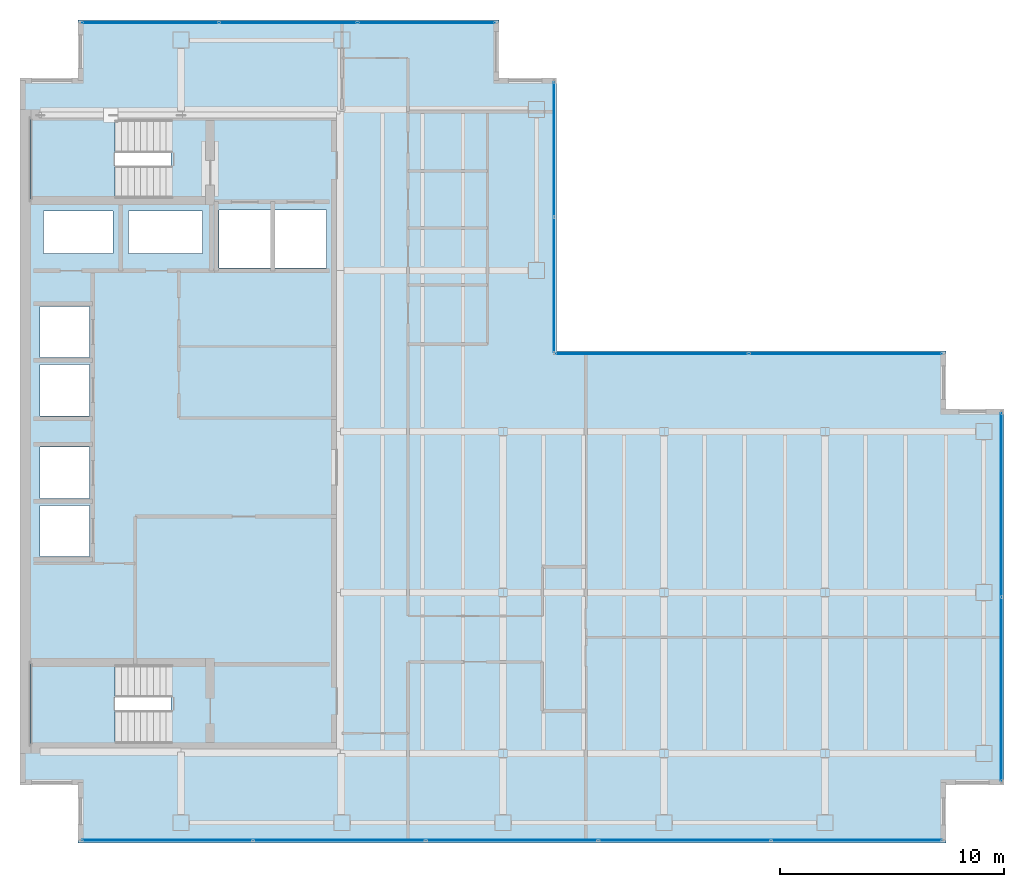
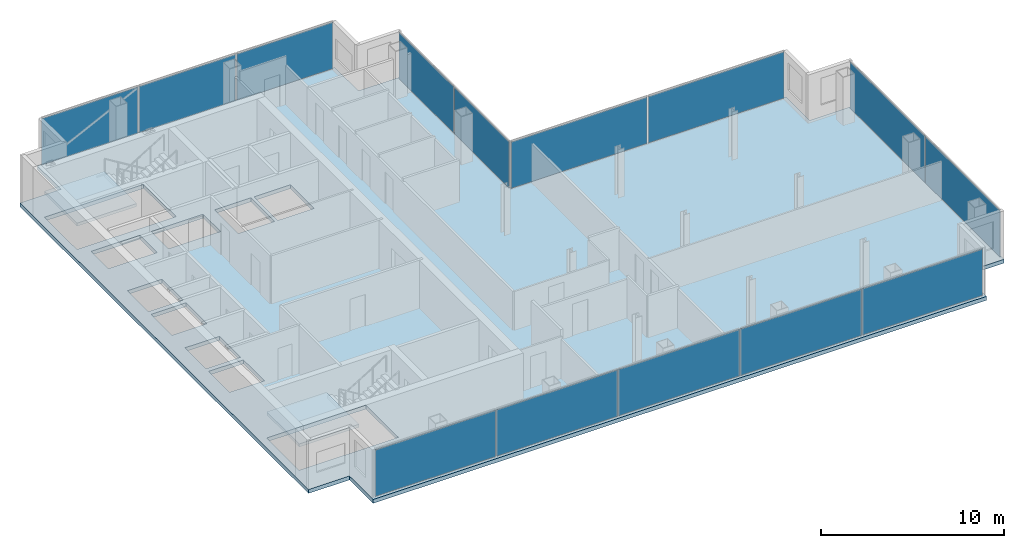
# One storey, part 19 of 23: 14 plates, 3 slabs, 10 openings, 7 elements without a shape of their own.
"""IFC4 building model written with IfcOpenShell, lengths in metres."""

from ifc_helpers import new_model, si_unit, direction, frame, origin, origin_2d, place, context, subcontext, project, spatial, polyline, rectangle, outline, extrude, material, layer, layer_set, type_object, element, aggregate, save


model = new_model("IFC4")

# Units and contexts
model_context = context("Model", 3, precision=1e-05, world=origin(), true_north=direction((0.0, 1.0)))
body_context = subcontext(model_context, "Body", "Model", "MODEL_VIEW")
ifc_project = project(units=[si_unit("LENGTHUNIT", "METRE"), si_unit("AREAUNIT", "SQUARE_METRE"), si_unit("VOLUMEUNIT", "CUBIC_METRE"), si_unit("PLANEANGLEUNIT", "RADIAN"), si_unit("MASSUNIT", "GRAM", prefix="KILO")], contexts=[model_context])

# Site, building, storey
site_placement = place(None, origin())
site = spatial("IfcSite", under=ifc_project, at=site_placement, CompositionType="ELEMENT")
building_placement = place(site_placement, origin())
building = spatial("IfcBuilding", under=site, at=building_placement, Name="Cobrela Telecom Tower", CompositionType="ELEMENT")
storey_placement = place(building_placement, frame((0.0, 0.0, 204.75)))
storey = spatial("IfcBuildingStorey", under=building, at=storey_placement, Name="L52", CompositionType="ELEMENT", Elevation=204.75)

# Curtain wall, plates
ifc_material_1 = material(Name="Anodized Bronze Aluminium 6063-T6", Category="aluminium")
curtain_wall_type = type_object("IfcCurtainWallType", Name="CW-SYS-OFF-LO", PredefinedType="USERDEFINED", material=ifc_material_1)
curtain_wall_1_placement = place(storey_placement, origin())
curtain_wall_1 = element("IfcCurtainWall", 1, at=curtain_wall_1_placement, inside=storey, type_object=curtain_wall_type, Name="L52 Unitised Bronze Curtain Wall 07", ObjectType="UNITISED CURTAIN WALL", PredefinedType="USERDEFINED")
ifc_material_2 = material(Name="Solar-Control Bronze Low-E Glass", Category="glass")
ifc_layer_1 = layer(ifc_material_2, 0.031982421875)
ifc_layer_set_1 = layer_set([ifc_layer_1], Name="Solar-Control Bronze Low-E Glass")
plate_type = type_object("IfcPlateType", Name="CW-SYS-OFF-LO-PNL", PredefinedType="CURTAIN_PANEL", material=ifc_layer_set_1)
plate_1_placement = place(storey_placement, frame((5.82421875, 39.8798828125, 0.070068359375), z_axis=(0.0, 0.0, 1.0), x_axis=(1.0, 0.0, 0.0)))
plate_1 = element("IfcPlate", 2, at=plate_1_placement, type_object=plate_type, Name="CW-OFF-LO panel 1.1", PredefinedType="CURTAIN_PANEL", context=body_context, shape_type="SweptSolid", body=[
    extrude(rectangle(XDim=6.08837890625, YDim=0.031982421875, at=origin_2d()), origin(), (0.0, 0.0, 1.0), 3.10009765625),
])
plate_2_placement = place(storey_placement, frame((12.0, 39.8798828125, 0.070068359375), z_axis=(0.0, 0.0, 1.0), x_axis=(1.0, 0.0, 0.0)))
plate_2 = element("IfcPlate", 3, at=plate_2_placement, type_object=plate_type, Name="CW-OFF-LO panel 2.1", PredefinedType="CURTAIN_PANEL", context=body_context, shape_type="SweptSolid", body=[
    extrude(rectangle(XDim=6.123291015625, YDim=0.031982421875, at=origin_2d()), origin(), (0.0, 0.0, 1.0), 3.10009765625),
])
plate_3_placement = place(storey_placement, frame((18.17578125, 39.8798828125, 0.070068359375), z_axis=(0.0, 0.0, 1.0), x_axis=(1.0, 0.0, 0.0)))
plate_3 = element("IfcPlate", 4, at=plate_3_placement, type_object=plate_type, Name="CW-OFF-LO panel 3.1", PredefinedType="CURTAIN_PANEL", context=body_context, shape_type="SweptSolid", body=[
    extrude(rectangle(XDim=6.08837890625, YDim=0.031982421875, at=origin_2d()), origin(), (0.0, 0.0, 1.0), 3.10009765625),
])
aggregate(curtain_wall_1, [plate_1, plate_2, plate_3])

curtain_wall_2_placement = place(storey_placement, origin())
curtain_wall_2 = element("IfcCurtainWall", 5, at=curtain_wall_2_placement, inside=storey, type_object=curtain_wall_type, Name="L52 Unitised Bronze Curtain Wall 10", ObjectType="UNITISED CURTAIN WALL", PredefinedType="USERDEFINED")
plate_4_placement = place(storey_placement, frame((23.8798828125, 34.219970703125, 0.070068359375), z_axis=(0.0, 0.0, 1.0), x_axis=(0.0, -1.0, 0.0)))
plate_4 = element("IfcPlate", 6, at=plate_4_placement, type_object=plate_type, Name="CW-OFF-LO panel 1.1", PredefinedType="CURTAIN_PANEL", context=body_context, shape_type="SweptSolid", body=[
    extrude(rectangle(XDim=6.0, YDim=0.031982421875, at=origin_2d()), origin(), (0.0, 0.0, 1.0), 3.10009765625),
])
plate_5_placement = place(storey_placement, frame((23.8798828125, 28.14990234375, 0.070068359375), z_axis=(0.0, 0.0, 1.0), x_axis=(0.0, -1.0, 0.0)))
plate_5 = element("IfcPlate", 7, at=plate_5_placement, type_object=plate_type, Name="CW-OFF-LO panel 2.1", PredefinedType="CURTAIN_PANEL", context=body_context, shape_type="SweptSolid", body=[
    extrude(rectangle(XDim=6.0, YDim=0.031982421875, at=origin_2d()), origin(), (0.0, 0.0, 1.0), 3.10009765625),
])
aggregate(curtain_wall_2, [plate_4, plate_5])

curtain_wall_3_placement = place(storey_placement, origin())
curtain_wall_3 = element("IfcCurtainWall", 8, at=curtain_wall_3_placement, inside=storey, type_object=curtain_wall_type, Name="L52 Unitised Bronze Curtain Wall 11", ObjectType="UNITISED CURTAIN WALL", PredefinedType="USERDEFINED")
plate_6_placement = place(storey_placement, frame((28.25, 25.080078125, 0.070068359375), z_axis=(0.0, 0.0, 1.0), x_axis=(1.0, 0.0, 0.0)))
plate_6 = element("IfcPlate", 9, at=plate_6_placement, type_object=plate_type, Name="CW-OFF-LO panel 1.1", PredefinedType="CURTAIN_PANEL", context=body_context, shape_type="SweptSolid", body=[
    extrude(rectangle(XDim=8.60009765625, YDim=0.031982421875, at=origin_2d()), origin(), (0.0, 0.0, 1.0), 3.10009765625),
])
plate_7_placement = place(storey_placement, frame((36.919921875, 25.080078125, 0.070068359375), z_axis=(0.0, 0.0, 1.0), x_axis=(1.0, 0.0, 0.0)))
plate_7 = element("IfcPlate", 10, at=plate_7_placement, type_object=plate_type, Name="CW-OFF-LO panel 2.1", PredefinedType="CURTAIN_PANEL", context=body_context, shape_type="SweptSolid", body=[
    extrude(rectangle(XDim=8.60009765625, YDim=0.031982421875, at=origin_2d()), origin(), (0.0, 0.0, 1.0), 3.10009765625),
])
aggregate(curtain_wall_3, [plate_6, plate_7])

curtain_wall_4_placement = place(storey_placement, origin())
curtain_wall_4 = element("IfcCurtainWall", 11, at=curtain_wall_4_placement, inside=storey, type_object=curtain_wall_type, Name="L52 Unitised Bronze Curtain Wall 14", ObjectType="UNITISED CURTAIN WALL", PredefinedType="USERDEFINED")
plate_8_placement = place(storey_placement, frame((43.8798828125, 18.327392578125, 0.070068359375), z_axis=(0.0, 0.0, 1.0), x_axis=(0.0, -1.0, 0.0)))
plate_8 = element("IfcPlate", 12, at=plate_8_placement, type_object=plate_type, Name="CW-OFF-LO panel 1.1", PredefinedType="CURTAIN_PANEL", context=body_context, shape_type="SweptSolid", body=[
    extrude(rectangle(XDim=8.18505859375, YDim=0.031982421875, at=origin_2d()), origin(), (0.0, 0.0, 1.0), 3.10009765625),
])
plate_9_placement = place(storey_placement, frame((43.8798828125, 10.072509765625, 0.070068359375), z_axis=(0.0, 0.0, 1.0), x_axis=(0.0, -1.0, 0.0)))
plate_9 = element("IfcPlate", 13, at=plate_9_placement, type_object=plate_type, Name="CW-OFF-LO panel 2.1", PredefinedType="CURTAIN_PANEL", context=body_context, shape_type="SweptSolid", body=[
    extrude(rectangle(XDim=8.18505859375, YDim=0.031982421875, at=origin_2d()), origin(), (0.0, 0.0, 1.0), 3.10009765625),
])
aggregate(curtain_wall_4, [plate_8, plate_9])

curtain_wall_5_placement = place(storey_placement, origin())
curtain_wall_5 = element("IfcCurtainWall", 14, at=curtain_wall_5_placement, inside=storey, type_object=curtain_wall_type, Name="L52 Unitised Bronze Curtain Wall 17", ObjectType="UNITISED CURTAIN WALL", PredefinedType="USERDEFINED")
plate_10_placement = place(storey_placement, frame((37.41455078125, 3.320068359375, 0.070068359375), z_axis=(0.0, 0.0, 1.0), x_axis=(-1.0, 0.0, 0.0)))
plate_10 = element("IfcPlate", 15, at=plate_10_placement, type_object=plate_type, Name="CW-OFF-LO panel 1.1", PredefinedType="CURTAIN_PANEL", context=body_context, shape_type="SweptSolid", body=[
    extrude(rectangle(XDim=7.611083984375, YDim=0.031982421875, at=origin_2d()), origin(), (0.0, 0.0, 1.0), 3.10009765625),
])
plate_11_placement = place(storey_placement, frame((29.716064453125, 3.320068359375, 0.070068359375), z_axis=(0.0, 0.0, 1.0), x_axis=(-1.0, 0.0, 0.0)))
plate_11 = element("IfcPlate", 16, at=plate_11_placement, type_object=plate_type, Name="CW-OFF-LO panel 2.1", PredefinedType="CURTAIN_PANEL", context=body_context, shape_type="SweptSolid", body=[
    extrude(rectangle(XDim=7.64599609375, YDim=0.031982421875, at=origin_2d()), origin(), (0.0, 0.0, 1.0), 3.10009765625),
])
plate_12_placement = place(storey_placement, frame((22.0, 3.320068359375, 0.070068359375), z_axis=(0.0, 0.0, 1.0), x_axis=(-1.0, 0.0, 0.0)))
plate_12 = element("IfcPlate", 17, at=plate_12_placement, type_object=plate_type, Name="CW-OFF-LO panel 3.1", PredefinedType="CURTAIN_PANEL", context=body_context, shape_type="SweptSolid", body=[
    extrude(rectangle(XDim=7.64599609375, YDim=0.031982421875, at=origin_2d()), origin(), (0.0, 0.0, 1.0), 3.10009765625),
])
plate_13_placement = place(storey_placement, frame((14.283935546875, 3.320068359375, 0.070068359375), z_axis=(0.0, 0.0, 1.0), x_axis=(-1.0, 0.0, 0.0)))
plate_13 = element("IfcPlate", 18, at=plate_13_placement, type_object=plate_type, Name="CW-OFF-LO panel 4.1", PredefinedType="CURTAIN_PANEL", context=body_context, shape_type="SweptSolid", body=[
    extrude(rectangle(XDim=7.64599609375, YDim=0.031982421875, at=origin_2d()), origin(), (0.0, 0.0, 1.0), 3.10009765625),
])
plate_14_placement = place(storey_placement, frame((6.58544921875, 3.320068359375, 0.070068359375), z_axis=(0.0, 0.0, 1.0), x_axis=(-1.0, 0.0, 0.0)))
plate_14 = element("IfcPlate", 19, at=plate_14_placement, type_object=plate_type, Name="CW-OFF-LO panel 5.1", PredefinedType="CURTAIN_PANEL", context=body_context, shape_type="SweptSolid", body=[
    extrude(rectangle(XDim=7.611083984375, YDim=0.031982421875, at=origin_2d()), origin(), (0.0, 0.0, 1.0), 3.10009765625),
])
aggregate(curtain_wall_5, [plate_10, plate_11, plate_12, plate_13, plate_14])

# Slab, openings
ifc_material_3 = material(Name="Concrete C40/50", Category="concrete")
ifc_layer_2 = layer(ifc_material_3, 0.260009765625)
ifc_layer_set_2 = layer_set([ifc_layer_2], Name="Concrete C40/50")
slab_type_1 = type_object("IfcSlabType", Name="SLAB-FLR-260", PredefinedType="FLOOR", material=ifc_layer_set_2)
slab_1_placement = place(storey_placement, frame((0.0, 0.0, -0.260009765625)))
slab_1 = element("IfcSlab", 20, at=slab_1_placement, inside=storey, type_object=slab_type_1, Name="L52 Structural Floor Slab", PredefinedType="FLOOR", context=body_context, shape_type="SweptSolid", body=[
    extrude(outline(polyline([(2.590087890625, 3.199951171875), (41.409912109375, 3.199951171875), (41.409912109375, 5.7900390625), (44.0, 5.7900390625), (44.0, 22.610107421875), (41.409912109375, 22.610107421875), (41.409912109375, 25.199951171875), (24.0, 25.199951171875), (24.0, 37.409912109375), (21.409912109375, 37.409912109375), (21.409912109375, 40.0), (2.590087890625, 40.0), (2.590087890625, 37.409912109375), (0.0, 37.409912109375), (0.0, 5.7900390625), (2.590087890625, 5.7900390625), (2.590087890625, 3.199951171875)])), origin(), (0.0, 0.0, 1.0), 0.260009765625),
])
opening_1_placement = place(slab_1_placement, frame((0.0, 0.0, -0.02001953125)))
element("IfcOpeningElement", 21, at=opening_1_placement, cuts=slab_1, Name="Slab Shaft Opening SLAB-L52-MAIN.1", PredefinedType="OPENING", context=body_context, shape_type="SweptSolid", body=[
    extrude(outline(polyline([(8.89990234375, 28.89990234375), (11.199951171875, 28.89990234375), (11.199951171875, 31.5), (8.89990234375, 31.5), (8.89990234375, 28.89990234375)])), origin(), (0.0, 0.0, 1.0), 0.300048828125),
])
opening_2_placement = place(slab_1_placement, frame((0.0, 0.0, -0.02001953125)))
element("IfcOpeningElement", 22, at=opening_2_placement, cuts=slab_1, Name="Slab Shaft Opening SLAB-L52-MAIN.2", PredefinedType="OPENING", context=body_context, shape_type="SweptSolid", body=[
    extrude(outline(polyline([(11.39990234375, 28.89990234375), (13.699951171875, 28.89990234375), (13.699951171875, 31.5), (11.39990234375, 31.5), (11.39990234375, 28.89990234375)])), origin(), (0.0, 0.0, 1.0), 0.300048828125),
])
opening_3_placement = place(slab_1_placement, frame((0.0, 0.0, -0.02001953125)))
element("IfcOpeningElement", 23, at=opening_3_placement, cuts=slab_1, Name="Slab Shaft Opening SLAB-L52-MAIN.3", PredefinedType="OPENING", context=body_context, shape_type="SweptSolid", body=[
    extrude(outline(polyline([(0.89990234375, 16.0), (3.10009765625, 16.0), (3.10009765625, 18.300048828125), (0.89990234375, 18.300048828125), (0.89990234375, 16.0)])), origin(), (0.0, 0.0, 1.0), 0.300048828125),
])
opening_4_placement = place(slab_1_placement, frame((0.0, 0.0, -0.02001953125)))
element("IfcOpeningElement", 24, at=opening_4_placement, cuts=slab_1, Name="Slab Shaft Opening SLAB-L52-MAIN.4", PredefinedType="OPENING", context=body_context, shape_type="SweptSolid", body=[
    extrude(outline(polyline([(0.89990234375, 18.60009765625), (3.10009765625, 18.60009765625), (3.10009765625, 20.89990234375), (0.89990234375, 20.89990234375), (0.89990234375, 18.60009765625)])), origin(), (0.0, 0.0, 1.0), 0.300048828125),
])
opening_5_placement = place(slab_1_placement, frame((0.0, 0.0, -0.02001953125)))
element("IfcOpeningElement", 25, at=opening_5_placement, cuts=slab_1, Name="Slab Shaft Opening SLAB-L52-MAIN.5", PredefinedType="OPENING", context=body_context, shape_type="SweptSolid", body=[
    extrude(outline(polyline([(0.89990234375, 22.300048828125), (3.10009765625, 22.300048828125), (3.10009765625, 24.60009765625), (0.89990234375, 24.60009765625), (0.89990234375, 22.300048828125)])), origin(), (0.0, 0.0, 1.0), 0.300048828125),
])
opening_6_placement = place(slab_1_placement, frame((0.0, 0.0, -0.02001953125)))
element("IfcOpeningElement", 26, at=opening_6_placement, cuts=slab_1, Name="Slab Shaft Opening SLAB-L52-MAIN.6", PredefinedType="OPENING", context=body_context, shape_type="SweptSolid", body=[
    extrude(outline(polyline([(0.89990234375, 24.89990234375), (3.10009765625, 24.89990234375), (3.10009765625, 27.199951171875), (0.89990234375, 27.199951171875), (0.89990234375, 24.89990234375)])), origin(), (0.0, 0.0, 1.0), 0.300048828125),
])
opening_7_placement = place(slab_1_placement, frame((0.0, 0.0, -0.02001953125)))
element("IfcOpeningElement", 27, at=opening_7_placement, cuts=slab_1, Name="Slab Shaft Opening SLAB-L52-MAIN.7", PredefinedType="OPENING", context=body_context, shape_type="SweptSolid", body=[
    extrude(outline(polyline([(1.050048828125, 29.550048828125), (4.14990234375, 29.550048828125), (4.14990234375, 31.449951171875), (1.050048828125, 31.449951171875), (1.050048828125, 29.550048828125)])), origin(), (0.0, 0.0, 1.0), 0.300048828125),
])
opening_8_placement = place(slab_1_placement, frame((0.0, 0.0, -0.02001953125)))
element("IfcOpeningElement", 28, at=opening_8_placement, cuts=slab_1, Name="Slab Shaft Opening SLAB-L52-MAIN.8", PredefinedType="OPENING", context=body_context, shape_type="SweptSolid", body=[
    extrude(outline(polyline([(4.85009765625, 29.550048828125), (8.14990234375, 29.550048828125), (8.14990234375, 31.449951171875), (4.85009765625, 31.449951171875), (4.85009765625, 29.550048828125)])), origin(), (0.0, 0.0, 1.0), 0.300048828125),
])
opening_9_placement = place(slab_1_placement, frame((0.0, 0.0, -0.02001953125)))
element("IfcOpeningElement", 29, at=opening_9_placement, cuts=slab_1, Name="Slab Shaft Opening SLAB-L52-MAIN.9", PredefinedType="OPENING", context=body_context, shape_type="SweptSolid", body=[
    extrude(outline(polyline([(6.7548828125, 35.550048828125), (0.47998046875, 35.550048828125), (0.47998046875, 32.0), (6.7548828125, 32.0), (6.7548828125, 35.550048828125)])), origin(), (0.0, 0.0, 1.0), 0.300048828125),
])
opening_10_placement = place(slab_1_placement, frame((0.0, 0.0, -0.02001953125)))
element("IfcOpeningElement", 30, at=opening_10_placement, cuts=slab_1, Name="Slab Shaft Opening SLAB-L52-MAIN.10", PredefinedType="OPENING", context=body_context, shape_type="SweptSolid", body=[
    extrude(outline(polyline([(6.7548828125, 11.199951171875), (0.47998046875, 11.199951171875), (0.47998046875, 7.64990234375), (6.7548828125, 7.64990234375), (6.7548828125, 11.199951171875)])), origin(), (0.0, 0.0, 1.0), 0.300048828125),
])

# Stair, slab
stair_type = type_object("IfcStairType", Name="STAIR-CORE", PredefinedType="HALF_TURN_STAIR", material=ifc_material_3)
stair_1_placement = place(storey_placement, origin())
stair_1 = element("IfcStair", 31, at=stair_1_placement, inside=storey, type_object=stair_type, Name="L52 Smokeproof Exit Stair ST1", PredefinedType="HALF_TURN_STAIR")
ifc_layer_3 = layer(ifc_material_3, 0.199951171875)
ifc_layer_set_3 = layer_set([ifc_layer_3], Name="Concrete C40/50")
slab_type_2 = type_object("IfcSlabType", Name="SLAB-LAND-200", PredefinedType="LANDING", material=ifc_layer_set_3)
slab_2_placement = place(storey_placement, frame((0.0, 0.0, 1.550048828125)))
slab_2 = element("IfcSlab", 32, at=slab_2_placement, type_object=slab_type_2, Name="ST1 landing 1", PredefinedType="LANDING", context=body_context, shape_type="SweptSolid", body=[
    extrude(outline(polyline([(4.2548828125, 35.550048828125), (0.47998046875, 35.550048828125), (0.47998046875, 32.0), (4.2548828125, 32.0), (4.2548828125, 35.550048828125)])), origin(), (0.0, 0.0, 1.0), 0.199951171875),
])
aggregate(stair_1, [slab_2])

stair_2_placement = place(storey_placement, origin())
stair_2 = element("IfcStair", 33, at=stair_2_placement, inside=storey, type_object=stair_type, Name="L52 Smokeproof Exit Stair ST2", PredefinedType="HALF_TURN_STAIR")
slab_3_placement = place(storey_placement, frame((0.0, 0.0, 1.550048828125)))
slab_3 = element("IfcSlab", 34, at=slab_3_placement, type_object=slab_type_2, Name="ST2 landing 1", PredefinedType="LANDING", context=body_context, shape_type="SweptSolid", body=[
    extrude(outline(polyline([(4.2548828125, 11.199951171875), (0.47998046875, 11.199951171875), (0.47998046875, 7.64990234375), (4.2548828125, 7.64990234375), (4.2548828125, 11.199951171875)])), origin(), (0.0, 0.0, 1.0), 0.199951171875),
])
aggregate(stair_2, [slab_3])

save(model, "model.ifc")
